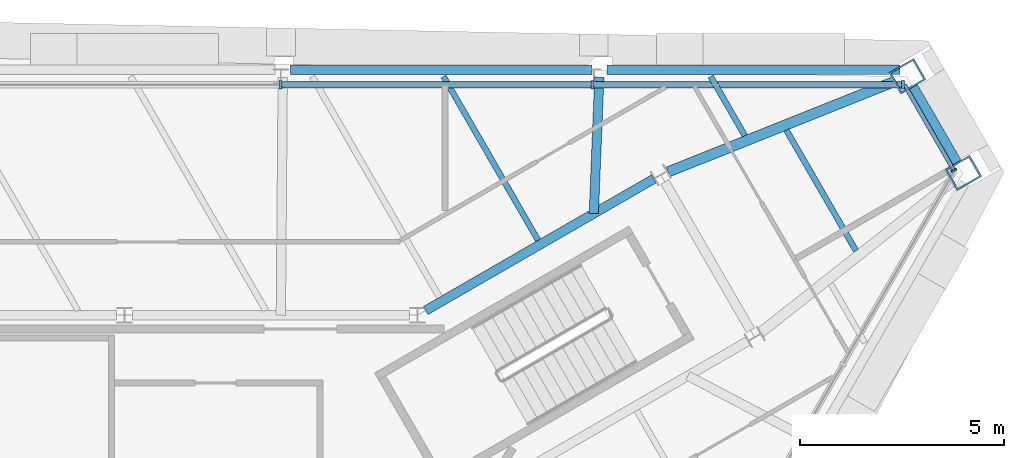
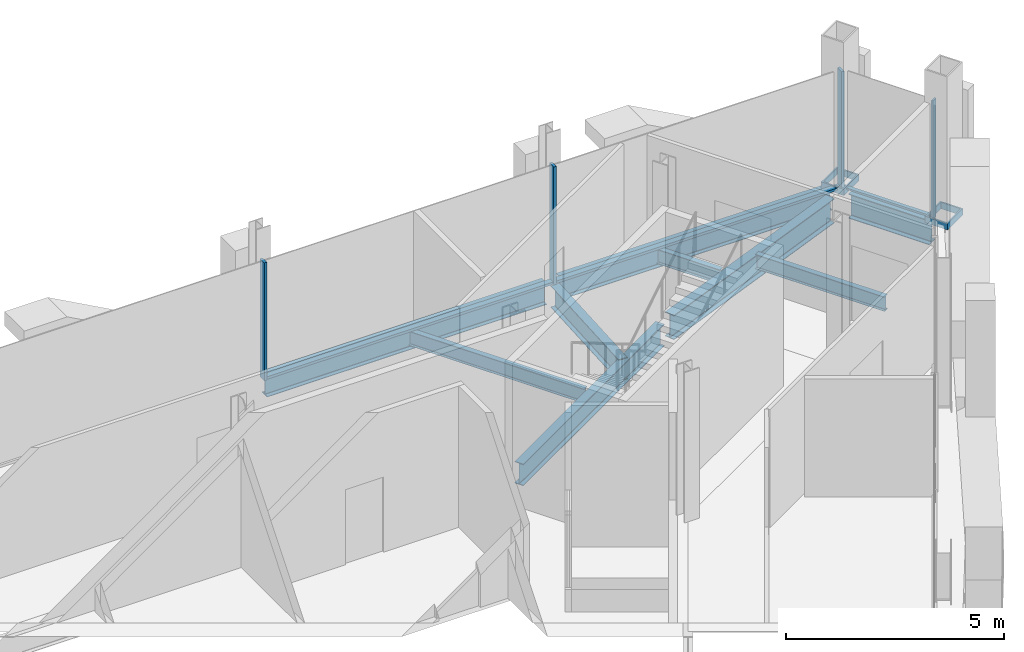
# One storey, part 7 of 13: 9 beams, 9 members, 2 elements without a shape of their own.
"""IFC4 building model written with IfcOpenShell, lengths in metres."""

from ifc_helpers import new_model, si_unit, direction, frame, origin, origin_2d, place, context, subcontext, project, spatial, rectangle, hollow_rectangle, i_section, extrude, material, material_profile, profile_set, type_object, element, aggregate, save


model = new_model("IFC4")

# Units and contexts
model_context = context("Model", 3, precision=1e-05, world=origin(), true_north=direction((0.0, 1.0)))
body_context = subcontext(model_context, "Body", "Model", "MODEL_VIEW")
ifc_project = project(units=[si_unit("LENGTHUNIT", "METRE"), si_unit("AREAUNIT", "SQUARE_METRE"), si_unit("VOLUMEUNIT", "CUBIC_METRE"), si_unit("PLANEANGLEUNIT", "RADIAN"), si_unit("MASSUNIT", "GRAM", prefix="KILO")], contexts=[model_context])

# Site, building, storey
site_placement = place(None, origin())
site = spatial("IfcSite", under=ifc_project, at=site_placement, CompositionType="ELEMENT")
building_placement = place(site_placement, origin())
building = spatial("IfcBuilding", under=site, at=building_placement, Name="Verrane Prism Tower", CompositionType="ELEMENT")
storey_placement = place(building_placement, frame((0.0, 0.0, 308.39990234375)))
storey = spatial("IfcBuildingStorey", under=building, at=storey_placement, Name="L78", CompositionType="ELEMENT", Elevation=308.39990234375)

# Beams
ifc_material_1 = material(Name="Steel A992", Category="steel")
ifc_material_profile_1 = material_profile(ifc_material_1, i_section(OverallWidth=0.25390625, OverallDepth=0.683349609375, WebThickness=0.012451171875, FlangeThickness=0.01904296875, FilletRadius=0.01513671875, at=origin_2d()), Name="W27x94")
ifc_profile_set_1 = profile_set([ifc_material_profile_1], Name="Steel A992")
beam_type_1 = type_object("IfcBeamType", Name="Chamfer spandrel beam W27x94", PredefinedType="SPANDREL", material=ifc_profile_set_1)
beam_1_placement = place(storey_placement, frame((20.389892578125, 10.539794921875, -0.50146484375), z_axis=(-0.500486898547, 0.865744110221, 0.0), x_axis=(-0.865744110221, -0.500486898547, 0.0)))
element("IfcBeam", 1, at=beam_1_placement, inside=storey, type_object=beam_type_1, Name="Chamfer spandrel beam L78", PredefinedType="SPANDREL", context=body_context, shape_type="SweptSolid", body=[
    extrude(i_section(OverallWidth=0.25390625, OverallDepth=0.683349609375, WebThickness=0.012451171875, FlangeThickness=0.01904296875, FilletRadius=0.01513671875, at=origin_2d()), origin(), (0.0, 0.0, 1.0), 2.137451171875),
])
ifc_material_2 = material(Name="Steel A992", Category="steel")
ifc_material_profile_2 = material_profile(ifc_material_2, i_section(OverallWidth=0.228271484375, OverallDepth=0.607177734375, WebThickness=0.01123046875, FlangeThickness=0.017333984375, FilletRadius=0.0126953125, at=origin_2d()), Name="W24x76")
ifc_profile_set_2 = profile_set([ifc_material_profile_2], Name="Steel A992")
beam_type_2 = type_object("IfcBeamType", Name="Core ring girder W24x76", PredefinedType="BEAM", material=ifc_profile_set_2)
beam_2_placement = place(storey_placement, frame((12.972900390625, 10.1435546875, -0.553466796875), z_axis=(-0.866085504117, -0.499895888719, 0.0), x_axis=(0.499895888719, -0.866085504117, 0.0)))
element("IfcBeam", 2, at=beam_2_placement, inside=storey, type_object=beam_type_2, Name="Core ring girder L78", PredefinedType="BEAM", context=body_context, shape_type="SweptSolid", body=[
    extrude(i_section(OverallWidth=0.228271484375, OverallDepth=0.607177734375, WebThickness=0.01123046875, FlangeThickness=0.017333984375, FilletRadius=0.0126953125, at=origin_2d()), origin(), (0.0, 0.0, 1.0), 6.45849609375),
])
ifc_material_3 = material(Name="Steel A992", Category="steel")
ifc_material_profile_3 = material_profile(ifc_material_3, i_section(OverallWidth=0.25390625, OverallDepth=0.683349609375, WebThickness=0.012451171875, FlangeThickness=0.01904296875, FilletRadius=0.01513671875, at=origin_2d()), Name="W27x94")
ifc_profile_set_3 = profile_set([ifc_material_profile_3], Name="Steel A992")
beam_type_3 = type_object("IfcBeamType", Name="Corner girder W27x94", PredefinedType="BEAM", material=ifc_profile_set_3)
beam_3_placement = place(storey_placement, frame((18.841552734375, 12.518798828125, -0.5615234375), z_axis=(-0.928587103525, -0.371114525675, 0.0), x_axis=(0.371114525675, -0.928587103525, 0.0)))
element("IfcBeam", 3, at=beam_3_placement, inside=storey, type_object=beam_type_3, Name="Corner girder L78", PredefinedType="BEAM", context=body_context, shape_type="SweptSolid", body=[
    extrude(i_section(OverallWidth=0.25390625, OverallDepth=0.683349609375, WebThickness=0.012451171875, FlangeThickness=0.01904296875, FilletRadius=0.01513671875, at=origin_2d()), origin(), (0.0, 0.0, 1.0), 5.945068359375),
])
ifc_material_4 = material(Name="Steel A992", Category="steel")
ifc_material_profile_4 = material_profile(ifc_material_4, i_section(OverallWidth=0.140380859375, OverallDepth=0.40380859375, WebThickness=0.007080078125, FlangeThickness=0.01123046875, FilletRadius=0.01025390625, at=origin_2d()), Name="W16x31")
ifc_profile_set_4 = profile_set([ifc_material_profile_4], Name="Steel A992")
beam_type_4 = type_object("IfcBeamType", Name="Floor beam W16x31", PredefinedType="BEAM", material=ifc_profile_set_4)
beam_4_placement = place(storey_placement, frame((15.201904296875, 11.20068359375, -0.36181640625), z_axis=(-0.500092867575, 0.865971780025, 0.0), x_axis=(-0.865971780025, -0.500092867575, 0.0)))
element("IfcBeam", 4, at=beam_4_placement, inside=storey, type_object=beam_type_4, Name="Floor beam L78", PredefinedType="BEAM", context=body_context, shape_type="SweptSolid", body=[
    extrude(i_section(OverallWidth=0.140380859375, OverallDepth=0.40380859375, WebThickness=0.007080078125, FlangeThickness=0.01123046875, FilletRadius=0.01025390625, at=origin_2d()), origin(), (0.0, 0.0, 1.0), 1.673583984375),
])
beam_5_placement = place(storey_placement, frame((10.135498046875, 8.635009765625, -0.36181640625), z_axis=(-0.500018753476, 0.866014576189, 0.0), x_axis=(-0.866014576189, -0.500018753476, 0.0)))
element("IfcBeam", 5, at=beam_5_placement, inside=storey, type_object=beam_type_4, Name="Floor beam L78", PredefinedType="BEAM", context=body_context, shape_type="SweptSolid", body=[
    extrude(i_section(OverallWidth=0.140380859375, OverallDepth=0.40380859375, WebThickness=0.007080078125, FlangeThickness=0.01123046875, FilletRadius=0.01025390625, at=origin_2d()), origin(), (0.0, 0.0, 1.0), 4.635986328125),
])
beam_6_placement = place(storey_placement, frame((17.925048828125, 8.380615234375, -0.36181640625), z_axis=(-0.500042619005, 0.866000796292, 0.0), x_axis=(-0.866000796292, -0.500042619005, 0.0)))
element("IfcBeam", 6, at=beam_6_placement, inside=storey, type_object=beam_type_4, Name="Floor beam L78", PredefinedType="BEAM", context=body_context, shape_type="SweptSolid", body=[
    extrude(i_section(OverallWidth=0.140380859375, OverallDepth=0.40380859375, WebThickness=0.007080078125, FlangeThickness=0.01123046875, FilletRadius=0.01025390625, at=origin_2d()), origin(), (0.0, 0.0, 1.0), 3.410400390625),
])

# Members
ifc_material_5 = material(Name="Steel A572 Grade 50", Category="steel")
ifc_material_profile_5 = material_profile(ifc_material_5, hollow_rectangle(XDim=0.60009765625, YDim=0.699951171875, WallThickness=0.0400390625, at=origin_2d()), Name="BOX 700x600x40")
ifc_profile_set_5 = profile_set([ifc_material_profile_5], Name="Steel A572 Grade 50")
member_type_1 = type_object("IfcMemberType", Name="Kink node BOX 700x600x40", PredefinedType="COLLAR", material=ifc_profile_set_5)
for number, where, z_axis, x_axis, name in (
    (7, (20.55908203125, 10.2890625, -0.08984375), (0.0, 0.0, 1.0), (0.5, -0.866025403784, 0.0), "Kink node MC5 L78"),
    (8, (19.1875, 12.662109375, -0.08984375), (0.0, 0.0, 1.0), (0.5, -0.866025403784, 0.0), "Kink node MC5 L78"),
):
    element("IfcMember", number, at=place(storey_placement, frame(where, z_axis=z_axis, x_axis=x_axis)), inside=storey, type_object=member_type_1, Name=name, PredefinedType="COLLAR", context=body_context, shape_type="SweptSolid", body=[
        extrude(hollow_rectangle(XDim=0.60009765625, YDim=0.699951171875, WallThickness=0.0400390625, at=origin_2d()), origin(), (0.0, 0.0, 1.0), 0.179931640625),
    ])

# Curtain wall, member
ifc_material_6 = material(Name="Aluminium framed insulated glazing", Category="aluminium")
curtain_wall_type_1 = type_object("IfcCurtainWallType", Name="Curtain wall CW-C 4200 module", PredefinedType="NOTDEFINED", material=ifc_material_6)
curtain_wall_1_placement = place(storey_placement, origin())
curtain_wall_1 = element("IfcCurtainWall", 9, at=curtain_wall_1_placement, inside=storey, type_object=curtain_wall_type_1, Name="Glazed curtain wall north-east corner L78", PredefinedType="NOTDEFINED")
ifc_material_7 = material(Name="Aluminium alloy 6063-T6", Category="aluminium")
ifc_material_profile_6 = material_profile(ifc_material_7, rectangle(XDim=0.139892578125, YDim=0.050048828125, at=origin_2d()), Name="Mullion 50x140 aluminium")
ifc_profile_set_6 = profile_set([ifc_material_profile_6], Name="Aluminium alloy 6063-T6")
member_type_2 = type_object("IfcMemberType", Name="Mullion 50x140 aluminium", PredefinedType="MULLION", material=ifc_profile_set_6)
member_1_placement = place(storey_placement, frame((20.32421875, 10.351318359375, 0.0), z_axis=(0.0, 0.0, 1.0), x_axis=(-0.866024860131, -0.500000941634, 0.0)))
member_1 = element("IfcMember", 10, at=member_1_placement, type_object=member_type_2, Name="CW78.1 mullion 1", PredefinedType="MULLION", context=body_context, shape_type="SweptSolid", body=[
    extrude(rectangle(XDim=0.139892578125, YDim=0.050048828125, at=origin_2d()), origin(), (0.0, 0.0, 1.0), 3.296875),
])

# Curtain wall, members
ifc_material_8 = material(Name="Aluminium framed insulated glazing", Category="aluminium")
curtain_wall_type_2 = type_object("IfcCurtainWallType", Name="Curtain wall CW-A 8400 module", PredefinedType="NOTDEFINED", material=ifc_material_8)
curtain_wall_2_placement = place(storey_placement, origin())
curtain_wall_2 = element("IfcCurtainWall", 11, at=curtain_wall_2_placement, inside=storey, type_object=curtain_wall_type_2, Name="Glazed curtain wall north face L78", PredefinedType="NOTDEFINED")
ifc_material_9 = material(Name="Aluminium alloy 6063-T6", Category="aluminium")
ifc_material_profile_7 = material_profile(ifc_material_9, rectangle(XDim=0.199951171875, YDim=0.070068359375, at=origin_2d()), Name="Mullion 70x200 aluminium")
ifc_profile_set_7 = profile_set([ifc_material_profile_7], Name="Aluminium alloy 6063-T6")
member_type_3 = type_object("IfcMemberType", Name="Mullion 70x200 aluminium", PredefinedType="MULLION", material=ifc_profile_set_7)
member_2_placement = place(storey_placement, frame((19.0791015625, 12.447265625, 0.0), z_axis=(0.0, 0.0, 1.0), x_axis=(0.0, -1.0, 0.0)))
member_2 = element("IfcMember", 12, at=member_2_placement, type_object=member_type_3, Name="CW78.2 mullion 1", PredefinedType="MULLION", context=body_context, shape_type="SweptSolid", body=[
    extrude(rectangle(XDim=0.199951171875, YDim=0.070068359375, at=origin_2d()), origin(), (0.0, 0.0, 1.0), 3.296875),
])
member_3_placement = place(storey_placement, frame((11.468505859375, 12.447265625, 0.0), z_axis=(0.0, 0.0, 1.0), x_axis=(0.0, -1.0, 0.0)))
member_3 = element("IfcMember", 13, at=member_3_placement, type_object=member_type_3, Name="CW78.2 mullion 2", PredefinedType="MULLION", context=body_context, shape_type="SweptSolid", body=[
    extrude(rectangle(XDim=0.199951171875, YDim=0.070068359375, at=origin_2d()), origin(), (0.0, 0.0, 1.0), 3.296875),
])
member_4_placement = place(storey_placement, frame((3.82275390625, 12.447265625, 0.0), z_axis=(0.0, 0.0, 1.0), x_axis=(0.0, -1.0, 0.0)))
member_4 = element("IfcMember", 14, at=member_4_placement, type_object=member_type_3, Name="CW78.2 mullion 3", PredefinedType="MULLION", context=body_context, shape_type="SweptSolid", body=[
    extrude(rectangle(XDim=0.199951171875, YDim=0.070068359375, at=origin_2d()), origin(), (0.0, 0.0, 1.0), 3.296875),
])

# Beams
ifc_material_10 = material(Name="Steel A992", Category="steel")
ifc_material_profile_8 = material_profile(ifc_material_10, i_section(OverallWidth=0.228271484375, OverallDepth=0.607177734375, WebThickness=0.01123046875, FlangeThickness=0.017333984375, FilletRadius=0.0126953125, at=origin_2d()), Name="W24x76")
ifc_profile_set_8 = profile_set([ifc_material_profile_8], Name="Steel A992")
beam_type_5 = type_object("IfcBeamType", Name="Radial girder W24x76", PredefinedType="BEAM", material=ifc_profile_set_8)
beam_7_placement = place(storey_placement, frame((11.634521484375, 12.630859375, -0.5234375), z_axis=(-0.04027453892, -0.999188651614, 0.0), x_axis=(0.999188651614, -0.04027453892, 0.0)))
element("IfcBeam", 15, at=beam_7_placement, inside=storey, type_object=beam_type_5, Name="Radial girder L78", PredefinedType="BEAM", context=body_context, shape_type="SweptSolid", body=[
    extrude(i_section(OverallWidth=0.228271484375, OverallDepth=0.607177734375, WebThickness=0.01123046875, FlangeThickness=0.017333984375, FilletRadius=0.0126953125, at=origin_2d()), origin(), (0.0, 0.0, 1.0), 3.340087890625),
])
ifc_material_11 = material(Name="Steel A992", Category="steel")
ifc_material_profile_9 = material_profile(ifc_material_11, i_section(OverallWidth=0.228271484375, OverallDepth=0.607177734375, WebThickness=0.01123046875, FlangeThickness=0.017333984375, FilletRadius=0.0126953125, at=origin_2d()), Name="W24x76")
ifc_profile_set_9 = profile_set([ifc_material_profile_9], Name="Steel A992")
beam_type_6 = type_object("IfcBeamType", Name="Spandrel beam W24x76", PredefinedType="SPANDREL", material=ifc_profile_set_9)
beam_8_placement = place(storey_placement, frame((19.001708984375, 12.814697265625, -0.46337890625), z_axis=(-0.999999999421, 3.4035601e-05, 0.0), x_axis=(-3.4035601e-05, -0.999999999421, 0.0)))
element("IfcBeam", 16, at=beam_8_placement, inside=storey, type_object=beam_type_6, Name="Spandrel beam L78", PredefinedType="SPANDREL", context=body_context, shape_type="SweptSolid", body=[
    extrude(i_section(OverallWidth=0.228271484375, OverallDepth=0.607177734375, WebThickness=0.01123046875, FlangeThickness=0.017333984375, FilletRadius=0.0126953125, at=origin_2d()), origin(), (0.0, 0.0, 1.0), 7.173095703125),
])
beam_9_placement = place(storey_placement, frame((11.455078125, 12.81494140625, -0.46337890625), z_axis=(-1.0, 0.0, 0.0), x_axis=(0.0, -1.0, 0.0)))
element("IfcBeam", 17, at=beam_9_placement, inside=storey, type_object=beam_type_6, Name="Spandrel beam L78", PredefinedType="SPANDREL", context=body_context, shape_type="SweptSolid", body=[
    extrude(i_section(OverallWidth=0.228271484375, OverallDepth=0.607177734375, WebThickness=0.01123046875, FlangeThickness=0.017333984375, FilletRadius=0.0126953125, at=origin_2d()), origin(), (0.0, 0.0, 1.0), 7.390625),
])

# Member
ifc_material_12 = material(Name="Aluminium alloy 6063-T6", Category="aluminium")
ifc_material_profile_10 = material_profile(ifc_material_12, rectangle(XDim=0.10009765625, YDim=0.050048828125, at=origin_2d()), Name="Transom 50x100 aluminium")
ifc_profile_set_10 = profile_set([ifc_material_profile_10], Name="Aluminium alloy 6063-T6")
member_type_4 = type_object("IfcMemberType", Name="Transom 50x100 aluminium", PredefinedType="USERDEFINED", material=ifc_profile_set_10)
member_5_placement = place(storey_placement, frame((20.3115234375, 10.372802734375, 0.025146484375), z_axis=(-0.499943030081, 0.866058292884, 0.0), x_axis=(-0.866058292884, -0.499943030081, 0.0)))
member_5 = element("IfcMember", 18, at=member_5_placement, type_object=member_type_4, Name="CW78.1 transom 1", ObjectType="TRANSOM", PredefinedType="USERDEFINED", context=body_context, shape_type="SweptSolid", body=[
    extrude(rectangle(XDim=0.10009765625, YDim=0.050048828125, at=origin_2d()), origin(), (0.0, 0.0, 1.0), 2.395263671875),
])

aggregate(curtain_wall_1, [member_1, member_5])

ifc_material_13 = material(Name="Aluminium alloy 6063-T6", Category="aluminium")
ifc_material_profile_11 = material_profile(ifc_material_13, rectangle(XDim=0.14990234375, YDim=0.070068359375, at=origin_2d()), Name="Transom 70x150 aluminium")
ifc_profile_set_11 = profile_set([ifc_material_profile_11], Name="Aluminium alloy 6063-T6")
member_type_5 = type_object("IfcMemberType", Name="Transom 70x150 aluminium", PredefinedType="USERDEFINED", material=ifc_profile_set_11)
member_6_placement = place(storey_placement, frame((19.0439453125, 12.447265625, 0.03515625), z_axis=(-1.0, 0.0, 0.0), x_axis=(0.0, -1.0, 0.0)))
member_6 = element("IfcMember", 19, at=member_6_placement, type_object=member_type_5, Name="CW78.2 transom 1", ObjectType="TRANSOM", PredefinedType="USERDEFINED", context=body_context, shape_type="SweptSolid", body=[
    extrude(rectangle(XDim=0.14990234375, YDim=0.070068359375, at=origin_2d()), origin(), (0.0, 0.0, 1.0), 7.54052734375),
])

member_7_placement = place(storey_placement, frame((11.433349609375, 12.447265625, 0.03515625), z_axis=(-1.0, 0.0, 0.0), x_axis=(0.0, -1.0, 0.0)))
member_7 = element("IfcMember", 20, at=member_7_placement, type_object=member_type_5, Name="CW78.2 transom 2", ObjectType="TRANSOM", PredefinedType="USERDEFINED", context=body_context, shape_type="SweptSolid", body=[
    extrude(rectangle(XDim=0.14990234375, YDim=0.070068359375, at=origin_2d()), origin(), (0.0, 0.0, 1.0), 7.575439453125),
])

aggregate(curtain_wall_2, [member_2, member_3, member_4, member_6, member_7])

save(model, "model.ifc")
